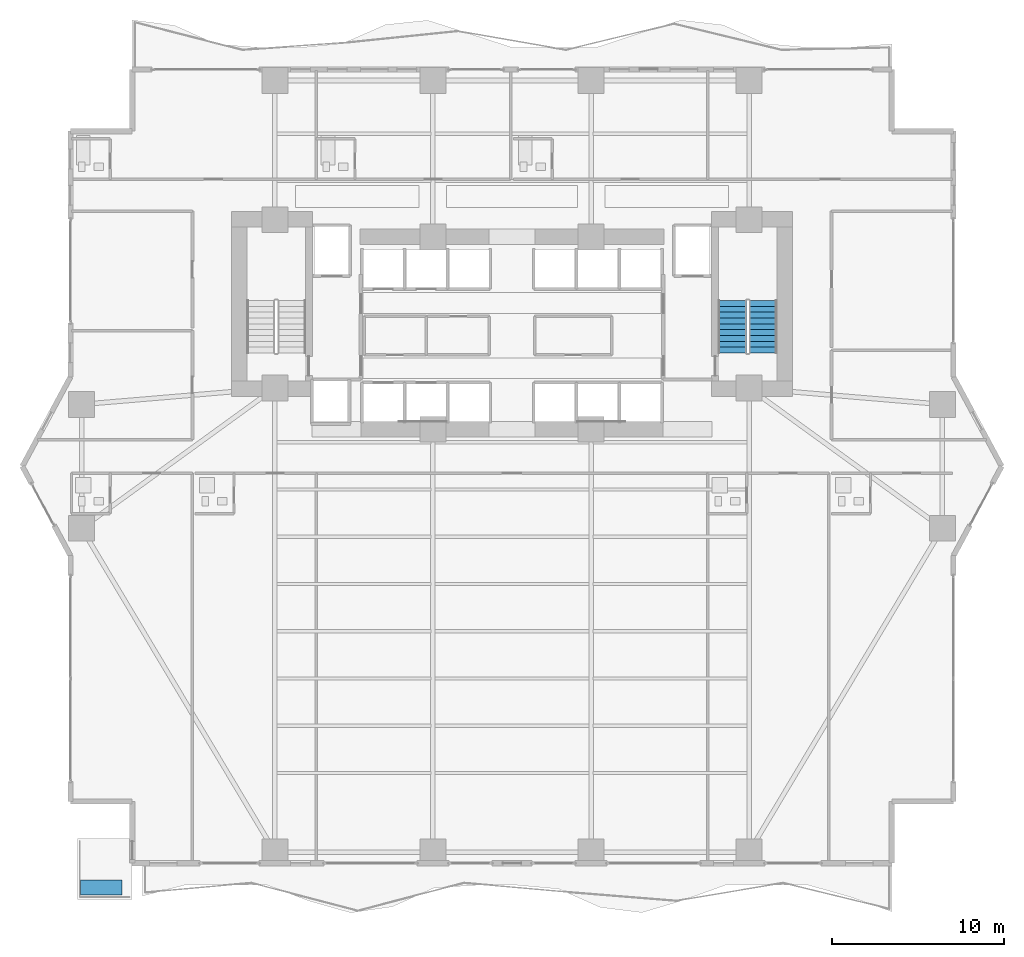
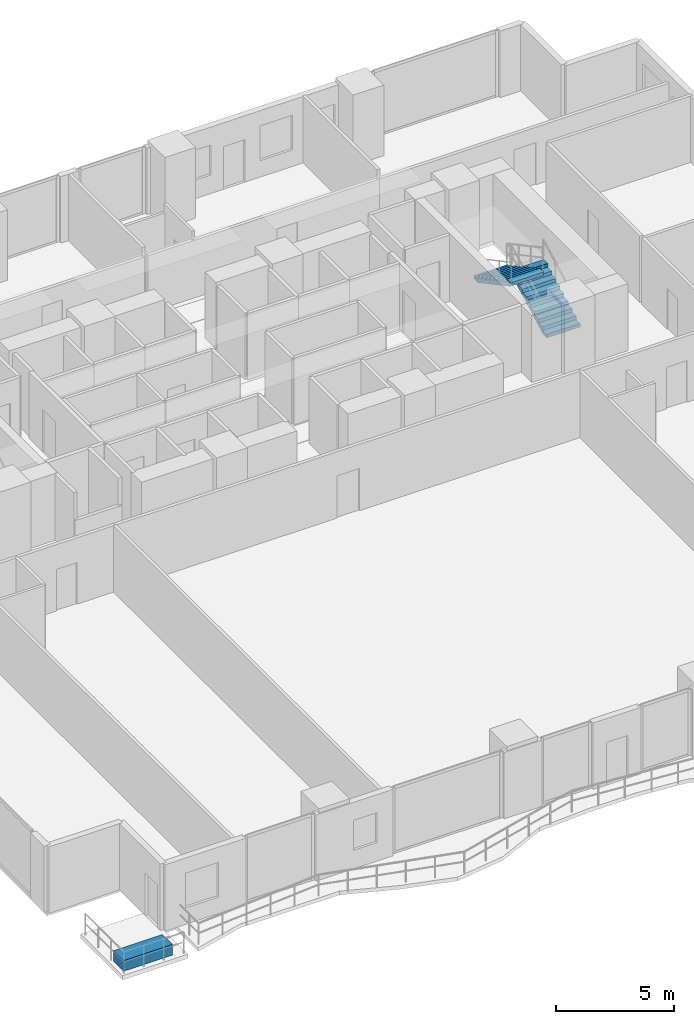
# One storey, part 23 of 28: 2 stair flights, 1 building element part, 1 element without a shape of its own.
"""IFC4 building model written with IfcOpenShell, lengths in metres."""

from ifc_helpers import new_model, si_unit, direction, frame, origin, origin_2d, place, context, subcontext, project, spatial, polyline, rectangle, outline, extrude, material, layer, layer_set, type_object, element, aggregate, save


model = new_model("IFC4")

# Units and contexts
model_context = context("Model", 3, precision=1e-05, world=origin(), true_north=direction((0.0, 1.0)))
body_context = subcontext(model_context, "Body", "Model", "MODEL_VIEW")
ifc_project = project(units=[si_unit("LENGTHUNIT", "METRE"), si_unit("AREAUNIT", "SQUARE_METRE"), si_unit("VOLUMEUNIT", "CUBIC_METRE"), si_unit("PLANEANGLEUNIT", "RADIAN"), si_unit("MASSUNIT", "GRAM", prefix="KILO")], contexts=[model_context])

# Site, building, storey
site_placement = place(None, origin())
site = spatial("IfcSite", under=ifc_project, at=site_placement, CompositionType="ELEMENT")
building_placement = place(site_placement, origin())
building = spatial("IfcBuilding", under=site, at=building_placement, Name="Zuhayl Quay Hotel", CompositionType="ELEMENT")
storey_placement = place(building_placement, frame((0.0, 0.0, 78.699951171875)))
storey = spatial("IfcBuildingStorey", under=building, at=storey_placement, Name="L19", CompositionType="ELEMENT", Elevation=78.699951171875)

# Stair, stair flights
ifc_material_1 = material(Name="Concrete C45/55", Category="concrete")
stair_type = type_object("IfcStairType", Name="ST_DOGLEG_TOWER", PredefinedType="HALF_TURN_STAIR", material=ifc_material_1)
stair_placement = place(storey_placement, origin())
stair = element("IfcStair", 1, at=stair_placement, inside=storey, type_object=stair_type, Name="L19 Smokeproof Exit Stair ST2", PredefinedType="HALF_TURN_STAIR")
ifc_layer_1 = layer(ifc_material_1, 0.159912109375, Name="Concrete C45/55", Category="concrete")
ifc_layer_set_1 = layer_set([ifc_layer_1], Name="Concrete C45/55")
stair_flight_type = type_object("IfcStairFlightType", Name="SF_CONC_164", PredefinedType="STRAIGHT", material=ifc_layer_set_1)
stair_flight_1_placement = place(storey_placement, frame((14.610107421875, 6.590087890625, 0.0), z_axis=(0.0, 0.0, 1.0), x_axis=(0.0, 1.0, 0.0)))
stair_flight_1 = element("IfcStairFlight", 2, at=stair_flight_1_placement, type_object=stair_flight_type, Name="ST2 flight 1", NumberOfRisers=10, NumberOfTreads=9, PredefinedType="STRAIGHT", RiserHeight=0.1825, TreadLength=0.34, context=body_context, shape_type="SweptSolid", body=[
    extrude(outline(polyline([(0.0, 0.0), (0.0, 0.1826171875), (0.340087890625, 0.1826171875), (0.340087890625, 0.364990234375), (0.679931640625, 0.364990234375), (0.679931640625, 0.547607421875), (1.02001953125, 0.547607421875), (1.02001953125, 0.72998046875), (1.360107421875, 0.72998046875), (1.360107421875, 0.91259765625), (1.699951171875, 0.91259765625), (1.699951171875, 1.094970703125), (2.0400390625, 1.094970703125), (2.0400390625, 1.277587890625), (2.3798828125, 1.277587890625), (2.3798828125, 1.4599609375), (2.719970703125, 1.4599609375), (2.719970703125, 1.642578125), (3.06005859375, 1.642578125), (3.06005859375, 1.824951171875), (3.06005859375, 1.472412109375), (0.31689453125, 0.0), (0.0, 0.0)])), frame((0.0, 0.81982421875, 0.0), z_axis=(0.0, -1.0, 0.0), x_axis=(1.0, 0.0, 0.0)), (0.0, 0.0, 1.0), 1.639892578125),
])
stair_flight_2_placement = place(storey_placement, frame((12.820068359375, 9.64990234375, 1.824951171875), z_axis=(0.0, 0.0, 1.0), x_axis=(0.0, -1.0, 0.0)))
stair_flight_2 = element("IfcStairFlight", 3, at=stair_flight_2_placement, type_object=stair_flight_type, Name="ST2 flight 2", NumberOfRisers=10, NumberOfTreads=9, PredefinedType="STRAIGHT", RiserHeight=0.1825, TreadLength=0.34, context=body_context, shape_type="SweptSolid", body=[
    extrude(outline(polyline([(0.0, 0.0), (0.0, 0.1826171875), (0.340087890625, 0.1826171875), (0.340087890625, 0.364990234375), (0.679931640625, 0.364990234375), (0.679931640625, 0.547607421875), (1.02001953125, 0.547607421875), (1.02001953125, 0.72998046875), (1.360107421875, 0.72998046875), (1.360107421875, 0.91259765625), (1.699951171875, 0.91259765625), (1.699951171875, 1.094970703125), (2.0400390625, 1.094970703125), (2.0400390625, 1.277587890625), (2.3798828125, 1.277587890625), (2.3798828125, 1.4599609375), (2.719970703125, 1.4599609375), (2.719970703125, 1.642578125), (3.06005859375, 1.642578125), (3.06005859375, 1.824951171875), (3.06005859375, 1.472412109375), (0.31689453125, 0.0), (0.0, 0.0)])), frame((0.0, 0.81982421875, 0.0), z_axis=(0.0, -1.0, 0.0), x_axis=(1.0, 0.0, 0.0)), (0.0, 0.0, 1.0), 1.639892578125),
])
aggregate(stair, [stair_flight_1, stair_flight_2])

# Building element part
ifc_material_2 = material(Name="Precast concrete C45/55", Category="concrete")
ifc_layer_2 = layer(ifc_material_2, 0.550048828125, Name="Precast concrete C45/55", Category="concrete")
ifc_layer_set_2 = layer_set([ifc_layer_2], Name="Precast concrete C45/55")
building_element_part_type = type_object("IfcBuildingElementPartType", Name="PT_PLANTER_KERB", PredefinedType="PRECASTPANEL", material=ifc_layer_set_2)
building_element_part_placement = place(storey_placement, frame((-23.909912109375, -24.510009765625, 0.0), z_axis=(0.0, 0.0, 1.0), x_axis=(1.0, 0.0, 0.0)))
element("IfcBuildingElementPart", 4, at=building_element_part_placement, inside=storey, type_object=building_element_part_type, Name="L19 Spiral Sky-Terrace Planter Box SW", PredefinedType="PRECASTPANEL", context=body_context, shape_type="SweptSolid", body=[
    extrude(rectangle(XDim=2.39990234375, YDim=0.85009765625, at=origin_2d()), origin(), (0.0, 0.0, 1.0), 0.550048828125),
])

save(model, "model.ifc")
